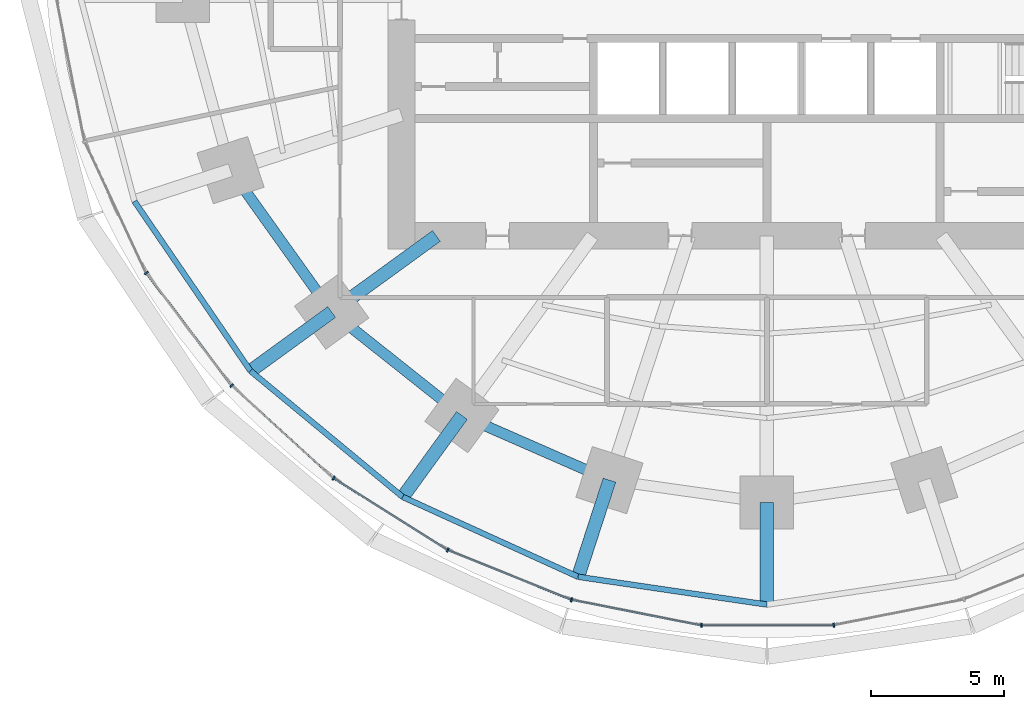
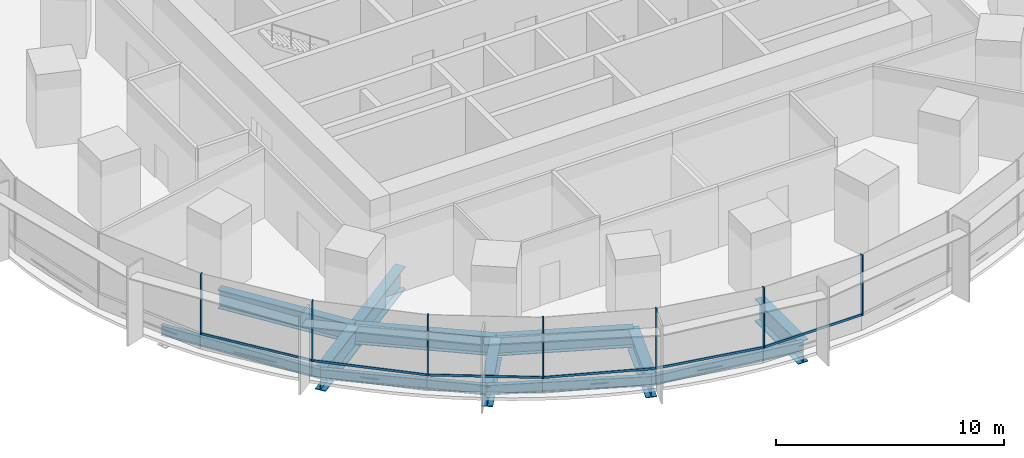
# One storey, part 2 of 15: 13 members, 12 beams, 2 elements without a shape of their own.
"""IFC4 building model written with IfcOpenShell, lengths in metres."""

import ifcopenshell
import ifcopenshell.guid

model = None  # the IFC model being written
_history = None  # IfcOwnerHistory: only IFC2X3 demands one
_inside = {}  # id of a spatial element -> (the spatial element, [elements in it])
_under = {}  # id of a project, library or spatial element -> (it, [spatial elements below it])
_declared = {}  # id of a project -> (the project, [libraries it declares])
_typed = {}  # id of a type object -> (the type object, [elements of that type])
_made_of = {}  # id of a material, layer set ... -> (it, [elements and type objects made of it])


def new_model(schema):
    """Start an empty IFC model of exactly this schema.

    Asked for "IFC4X3", IfcOpenShell would pick the latest addendum, in which some entities
    have other attributes; the version numbers below select the first issue.
    IFC2X3 requires an IfcOwnerHistory on every rooted entity: one is made here for all.
    """
    global model, _history
    if schema == "IFC4X3":
        model = ifcopenshell.file(schema_version=(4, 3, 0, 0))
    else:
        model = ifcopenshell.file(schema=schema)
    _inside.clear()
    _under.clear()
    _declared.clear()
    _typed.clear()
    _made_of.clear()
    _history = None
    if model.schema == "IFC2X3":
        org = make("IfcOrganization", Name="unknown")
        user = make(
            "IfcPersonAndOrganization",
            ThePerson=make("IfcPerson", FamilyName="unknown"),
            TheOrganization=org,
        )
        app = make(
            "IfcApplication",
            ApplicationDeveloper=org,
            Version="unknown",
            ApplicationFullName="unknown",
            ApplicationIdentifier="unknown",
        )
        _history = make(
            "IfcOwnerHistory",
            OwningUser=user,
            OwningApplication=app,
            ChangeAction="ADDED",
            CreationDate=0,
        )
    return model


def make(cls, **values):
    """One entity of the class cls with the attributes given. An attribute that is None is left unset."""
    return model.create_entity(
        cls, **{name: value for name, value in values.items() if value is not None}
    )


def rooted(cls, **values):
    """An entity with a GlobalId (a new one), such as an element, a storey or a relation."""
    return make(cls, GlobalId=ifcopenshell.guid.new(), OwnerHistory=_history, **values)


def si_unit(unit_type, name, prefix=None):
    """IfcSIUnit, for example si_unit("LENGTHUNIT", "METRE", prefix="MILLI")."""
    return make("IfcSIUnit", UnitType=unit_type, Prefix=prefix, Name=name)


def assignment(units):
    """IfcUnitAssignment: the units of a project."""
    return None if units is None else make("IfcUnitAssignment", Units=units)


def point(xyz):
    """IfcCartesianPoint."""
    return None if xyz is None else make("IfcCartesianPoint", Coordinates=xyz)


def direction(xyz):
    """IfcDirection."""
    return None if xyz is None else make("IfcDirection", DirectionRatios=xyz)


def frame(location, z_axis=None, x_axis=None):
    """IfcAxis2Placement3D, a coordinate frame: its origin and axes. An axis left out is left unset."""
    return make(
        "IfcAxis2Placement3D",
        Location=point(location),
        Axis=direction(z_axis),
        RefDirection=direction(x_axis),
    )


def frame_2d(location, x_axis=None):
    """IfcAxis2Placement2D, a coordinate frame in the plane: its origin and x axis."""
    return make(
        "IfcAxis2Placement2D", Location=point(location), RefDirection=direction(x_axis)
    )


def origin():
    """The frame at (0, 0, 0) with its axes left unset."""
    return frame((0.0, 0.0, 0.0))


def origin_2d():
    """The frame at (0, 0) in the plane with its x axis left unset."""
    return frame_2d((0.0, 0.0))


def place(relative_to, where):
    """IfcLocalPlacement: puts the frame where relative to a parent placement (None: the world)."""
    return make(
        "IfcLocalPlacement", PlacementRelTo=relative_to, RelativePlacement=where
    )


def context(
    kind, dimensions, precision=None, world=None, true_north=None, identifier=None
):
    """IfcGeometricRepresentationContext, for example the 3D "Model" context."""
    return make(
        "IfcGeometricRepresentationContext",
        ContextIdentifier=identifier,
        ContextType=kind,
        CoordinateSpaceDimension=dimensions,
        Precision=precision,
        WorldCoordinateSystem=world,
        TrueNorth=true_north,
    )


def subcontext(parent, identifier, kind, view, scale=None):
    """IfcGeometricRepresentationSubContext, for example "Body" below "Model"."""
    return make(
        "IfcGeometricRepresentationSubContext",
        ContextIdentifier=identifier,
        ContextType=kind,
        ParentContext=parent,
        TargetScale=scale,
        TargetView=view,
    )


def project(units=None, contexts=None):
    """IfcProject with its units and contexts."""
    return rooted(
        "IfcProject",
        Name="project",
        RepresentationContexts=contexts,
        UnitsInContext=assignment(units),
    )


def spatial(cls, under=None, at=None, **own):
    """A site, building, storey or space (cls), placed at a placement, below another one or the project."""
    s = rooted(cls, ObjectPlacement=at, **own)
    if under is not None:
        _under.setdefault(under.id(), (under, []))[1].append(s)
    return s


def profile(cls, at=None, kind="AREA", **sizes):
    """A parametric profile (cls). Its sizes go by their IFC names, for example OverallWidth=200.0."""
    return make(cls, ProfileType=kind, Position=at, **sizes)


def rectangle(**sizes):
    """IfcRectangleProfileDef."""
    return profile("IfcRectangleProfileDef", **sizes)


def i_section(**sizes):
    """IfcIShapeProfileDef."""
    return profile("IfcIShapeProfileDef", **sizes)


def extrude(swept, where, along, depth):
    """IfcExtrudedAreaSolid: the profile swept, set in the frame where, extruded along a direction by depth."""
    return make(
        "IfcExtrudedAreaSolid",
        SweptArea=swept,
        Position=where,
        ExtrudedDirection=direction(along),
        Depth=depth,
    )


def shape(context_of_items, identifier, shape_type, items):
    """IfcShapeRepresentation: the items that make up one representation, for example the "Body"."""
    return make(
        "IfcShapeRepresentation",
        ContextOfItems=context_of_items,
        RepresentationIdentifier=identifier,
        RepresentationType=shape_type,
        Items=items,
    )


def material(Name=None, Category=None):
    """IfcMaterial."""
    return make("IfcMaterial", Name=Name, Category=Category)


def material_profile(
    of_material, cross_section, Name=None, Category=None, Priority=None
):
    """IfcMaterialProfile: a cross section and its material."""
    return make(
        "IfcMaterialProfile",
        Name=Name,
        Material=of_material,
        Profile=cross_section,
        Priority=Priority,
        Category=Category,
    )


def profile_set(profiles, Name=None, composite=None):
    """IfcMaterialProfileSet."""
    return make(
        "IfcMaterialProfileSet",
        Name=Name,
        MaterialProfiles=profiles,
        CompositeProfile=composite,
    )


def made_of(thing, what):
    """Note that an element or type object is made of a material, layer set ...; save() writes the relation."""
    if what is not None:
        _made_of.setdefault(what.id(), (what, []))[1].append(thing)
    return thing


def type_object(cls, material=None, **own):
    """A type object (cls), such as IfcWallType, which elements share."""
    return made_of(rooted(cls, **own), material)


def element(
    cls,
    number,
    at=None,
    inside=None,
    cuts=None,
    type_object=None,
    material=None,
    context=None,
    identifier="Body",
    shape_type=None,
    held_by="IfcProductDefinitionShape",
    body=None,
    shapes=None,
    **own,
):
    """One element of the class cls, such as IfcWall. Its Tag is "e" and its number.

    at: its placement. inside: the storey or other place that contains it. cuts: it is an
    opening in that element (IfcRelVoidsElement). A single representation is given by context,
    identifier, shape_type and body (its items); several are given by shapes. held_by: the class
    of the entity that holds the representations. save() writes the other relations.
    """
    e = rooted(cls, Tag="e%d" % number, ObjectPlacement=at, **own)
    if body is not None:
        shapes = [shape(context, identifier, shape_type, body)]
    if shapes is not None:
        e.Representation = make(held_by, Representations=shapes)
    if inside is not None:
        _inside.setdefault(inside.id(), (inside, []))[1].append(e)
    if cuts is not None:
        rooted(
            "IfcRelVoidsElement", RelatingBuildingElement=cuts, RelatedOpeningElement=e
        )
    if type_object is not None:
        _typed.setdefault(type_object.id(), (type_object, []))[1].append(e)
    return made_of(e, material)


def aggregate(whole, parts):
    """IfcRelAggregates: a whole, such as a stair, and the parts it consists of."""
    return rooted("IfcRelAggregates", RelatingObject=whole, RelatedObjects=parts)


def save(model, path):
    """Write the relations noted so far, then the file.

    IfcRelAggregates (storeys below a building ...), IfcRelContainedInSpatialStructure (elements
    in a storey), IfcRelDefinesByType, IfcRelAssociatesMaterial and IfcRelDeclares: one each for
    every whole, place, type object, material and project.
    """
    for whole, parts in _under.values():
        aggregate(whole, parts)
    for where, things in _inside.values():
        rooted(
            "IfcRelContainedInSpatialStructure",
            RelatedElements=things,
            RelatingStructure=where,
        )
    for kind, things in _typed.values():
        rooted("IfcRelDefinesByType", RelatedObjects=things, RelatingType=kind)
    for what, things in _made_of.values():
        rooted("IfcRelAssociatesMaterial", RelatedObjects=things, RelatingMaterial=what)
    for by, libraries in _declared.values():
        rooted("IfcRelDeclares", RelatingContext=by, RelatedDefinitions=libraries)
    model.write(path)


model = new_model("IFC4")

# Units and contexts
model_context = context("Model", 3, precision=1e-05, world=origin(), true_north=direction((0.0, 1.0)))
body_context = subcontext(model_context, "Body", "Model", "MODEL_VIEW")
ifc_project = project(units=[si_unit("LENGTHUNIT", "METRE"), si_unit("AREAUNIT", "SQUARE_METRE"), si_unit("VOLUMEUNIT", "CUBIC_METRE"), si_unit("PLANEANGLEUNIT", "RADIAN"), si_unit("MASSUNIT", "GRAM", prefix="KILO")], contexts=[model_context])

# Site, building, storey
site_placement = place(None, origin())
site = spatial("IfcSite", under=ifc_project, at=site_placement, CompositionType="ELEMENT")
building_placement = place(site_placement, origin())
building = spatial("IfcBuilding", under=site, at=building_placement, Name="Marramba Exchange Tower", CompositionType="ELEMENT")
storey_placement = place(building_placement, frame((0.0, 0.0, 49.0)))
storey = spatial("IfcBuildingStorey", under=building, at=storey_placement, Name="L11", CompositionType="ELEMENT", Elevation=49.0)

# Beams
ifc_material_1 = material(Name="Steel AS/NZS 3679.2 grade 300", Category="steel")
ifc_material_profile_1 = material_profile(ifc_material_1, i_section(OverallWidth=0.5, OverallDepth=1.199951171875, WebThickness=0.01611328125, FlangeThickness=0.0400390625, at=origin_2d()), Name="1200WB455")
ifc_profile_set_1 = profile_set([ifc_material_profile_1], Name="Steel AS/NZS 3679.2 grade 300")
beam_type_1 = type_object("IfcBeamType", Name="Cantilever girder 1200WB455", PredefinedType="BEAM", material=ifc_profile_set_1)
beam_1_placement = place(storey_placement, frame((-16.3154296875, -11.853759765625, -0.760009765625), z_axis=(-0.809008346081, -0.587797155463, 0.0), x_axis=(0.587797155463, -0.809008346081, 0.0)))
element("IfcBeam", 1, at=beam_1_placement, inside=storey, type_object=beam_type_1, Name="Cantilever girder L11 TC13", PredefinedType="BEAM", context=body_context, shape_type="SweptSolid", body=[
    extrude(i_section(OverallWidth=0.5, OverallDepth=1.199951171875, WebThickness=0.01611328125, FlangeThickness=0.0400390625, at=origin_2d()), origin(), (0.0, 0.0, 1.0), 3.76025390625),
])
beam_2_placement = place(storey_placement, frame((-11.430419921875, -15.732666015625, -0.760009765625), z_axis=(-0.587787232741, -0.809015555491, 0.0), x_axis=(0.809015555491, -0.587787232741, 0.0)))
element("IfcBeam", 2, at=beam_2_placement, inside=storey, type_object=beam_type_1, Name="Cantilever girder L11 TC14", PredefinedType="BEAM", context=body_context, shape_type="SweptSolid", body=[
    extrude(i_section(OverallWidth=0.5, OverallDepth=1.199951171875, WebThickness=0.01611328125, FlangeThickness=0.0400390625, at=origin_2d()), origin(), (0.0, 0.0, 1.0), 3.7763671875),
])
beam_3_placement = place(storey_placement, frame((-5.899658203125, -18.156982421875, -0.760009765625), z_axis=(-0.309009272901, -0.951059025119, 0.0), x_axis=(0.951059025119, -0.309009272901, 0.0)))
element("IfcBeam", 3, at=beam_3_placement, inside=storey, type_object=beam_type_1, Name="Cantilever girder L11 TC15", PredefinedType="BEAM", context=body_context, shape_type="SweptSolid", body=[
    extrude(i_section(OverallWidth=0.5, OverallDepth=1.199951171875, WebThickness=0.01611328125, FlangeThickness=0.0400390625, at=origin_2d()), origin(), (0.0, 0.0, 1.0), 3.809814453125),
])
beam_4_placement = place(storey_placement, frame((0.0, -18.99609375, -0.760009765625), z_axis=(0.0, -1.0, 0.0), x_axis=(1.0, 0.0, 0.0)))
element("IfcBeam", 4, at=beam_4_placement, inside=storey, type_object=beam_type_1, Name="Cantilever girder L11 TC16", PredefinedType="BEAM", context=body_context, shape_type="SweptSolid", body=[
    extrude(i_section(OverallWidth=0.5, OverallDepth=1.199951171875, WebThickness=0.01611328125, FlangeThickness=0.0400390625, at=origin_2d()), origin(), (0.0, 0.0, 1.0), 3.825927734375),
])
ifc_material_profile_2 = material_profile(ifc_material_1, i_section(OverallWidth=0.5, OverallDepth=1.199951171875, WebThickness=0.01611328125, FlangeThickness=0.0400390625, at=origin_2d()), Name="1200WB455")
ifc_profile_set_2 = profile_set([ifc_material_profile_2], Name="Steel AS/NZS 3679.2 grade 300")
beam_type_2 = type_object("IfcBeamType", Name="Radial girder 1200WB455", PredefinedType="BEAM", material=ifc_profile_set_2)
beam_5_placement = place(storey_placement, frame((-12.387451171875, -9.0, -0.760009765625), z_axis=(-0.809025189606, -0.58777397236, 0.0), x_axis=(0.58777397236, -0.809025189606, 0.0)))
element("IfcBeam", 5, at=beam_5_placement, inside=storey, type_object=beam_type_2, Name="Radial girder L11 TC13", PredefinedType="BEAM", context=body_context, shape_type="SweptSolid", body=[
    extrude(i_section(OverallWidth=0.5, OverallDepth=1.199951171875, WebThickness=0.01611328125, FlangeThickness=0.0400390625, at=origin_2d()), origin(), (0.0, 0.0, 1.0), 4.855224609375),
])
ifc_material_profile_3 = material_profile(ifc_material_1, i_section(OverallWidth=0.39990234375, OverallDepth=1.0, WebThickness=0.01611328125, FlangeThickness=0.031982421875, at=origin_2d()), Name="1000WB322")
ifc_profile_set_3 = profile_set([ifc_material_profile_3], Name="Steel AS/NZS 3679.2 grade 300")
beam_type_3 = type_object("IfcBeamType", Name="Ring beam 1000WB322", PredefinedType="SPANDREL", material=ifc_profile_set_3)
beam_6_placement = place(storey_placement, frame((-20.109375, -6.533935546875, -0.659912109375), z_axis=(0.580637181111, -0.814162430914, 0.0), x_axis=(0.814162430914, 0.580637181111, 0.0)))
element("IfcBeam", 6, at=beam_6_placement, inside=storey, type_object=beam_type_3, Name="Ring beam L11 TC12-TC13", PredefinedType="SPANDREL", context=body_context, shape_type="SweptSolid", body=[
    extrude(i_section(OverallWidth=0.39990234375, OverallDepth=1.0, WebThickness=0.01611328125, FlangeThickness=0.031982421875, at=origin_2d()), origin(), (0.0, 0.0, 1.0), 6.5341796875),
])
beam_7_placement = place(storey_placement, frame((-16.3154296875, -11.853759765625, -0.659912109375), z_axis=(0.783139438128, -0.621846138887, 0.0), x_axis=(0.621846138887, 0.783139438128, 0.0)))
element("IfcBeam", 7, at=beam_7_placement, inside=storey, type_object=beam_type_3, Name="Ring beam L11 TC13-TC14", PredefinedType="SPANDREL", context=body_context, shape_type="SweptSolid", body=[
    extrude(i_section(OverallWidth=0.39990234375, OverallDepth=1.0, WebThickness=0.01611328125, FlangeThickness=0.031982421875, at=origin_2d()), origin(), (0.0, 0.0, 1.0), 6.23779296875),
])
beam_8_placement = place(storey_placement, frame((-11.430419921875, -15.732666015625, -0.659912109375), z_axis=(0.915876892158, -0.4014592363, 0.0), x_axis=(0.4014592363, 0.915876892158, 0.0)))
element("IfcBeam", 8, at=beam_8_placement, inside=storey, type_object=beam_type_3, Name="Ring beam L11 TC14-TC15", PredefinedType="SPANDREL", context=body_context, shape_type="SweptSolid", body=[
    extrude(i_section(OverallWidth=0.39990234375, OverallDepth=1.0, WebThickness=0.01611328125, FlangeThickness=0.031982421875, at=origin_2d()), origin(), (0.0, 0.0, 1.0), 6.038818359375),
])
ifc_material_2 = material(Name="Steel AS/NZS 3679.1 grade 300", Category="steel")
ifc_material_profile_4 = material_profile(ifc_material_2, i_section(OverallWidth=0.208984375, OverallDepth=0.528076171875, WebThickness=0.009521484375, FlangeThickness=0.01318359375, FilletRadius=0.013916015625, at=origin_2d()), Name="530UB82.0")
ifc_profile_set_4 = profile_set([ifc_material_profile_4], Name="Steel AS/NZS 3679.1 grade 300")
beam_type_4 = type_object("IfcBeamType", Name="Slab edge beam 530UB82.0", PredefinedType="SPANDREL", material=ifc_profile_set_4)
beam_9_placement = place(storey_placement, frame((-23.709716796875, -7.703857421875, -0.424072265625), z_axis=(0.564740697285, -0.82526840775, 0.0), x_axis=(0.82526840775, 0.564740697285, 0.0)))
element("IfcBeam", 9, at=beam_9_placement, inside=storey, type_object=beam_type_4, Name="Slab edge beam L11 TC12-TC13", PredefinedType="SPANDREL", context=body_context, shape_type="SweptSolid", body=[
    extrude(i_section(OverallWidth=0.208984375, OverallDepth=0.528076171875, WebThickness=0.009521484375, FlangeThickness=0.01318359375, FilletRadius=0.013916015625, at=origin_2d()), origin(), (0.0, 0.0, 1.0), 7.706787109375),
])
beam_10_placement = place(storey_placement, frame((-19.357421875, -14.06396484375, -0.424072265625), z_axis=(0.770353575372, -0.637616945283, 0.0), x_axis=(0.637616945283, 0.770353575372, 0.0)))
element("IfcBeam", 10, at=beam_10_placement, inside=storey, type_object=beam_type_4, Name="Slab edge beam L11 TC13-TC14", PredefinedType="SPANDREL", context=body_context, shape_type="SweptSolid", body=[
    extrude(i_section(OverallWidth=0.208984375, OverallDepth=0.528076171875, WebThickness=0.009521484375, FlangeThickness=0.01318359375, FilletRadius=0.013916015625, at=origin_2d()), origin(), (0.0, 0.0, 1.0), 7.40869140625),
])
beam_11_placement = place(storey_placement, frame((-13.650146484375, -18.787841796875, -0.424072265625), z_axis=(0.910126690081, -0.414330071324, 0.0), x_axis=(0.414330071324, 0.910126690081, 0.0)))
element("IfcBeam", 11, at=beam_11_placement, inside=storey, type_object=beam_type_4, Name="Slab edge beam L11 TC14-TC15", PredefinedType="SPANDREL", context=body_context, shape_type="SweptSolid", body=[
    extrude(i_section(OverallWidth=0.208984375, OverallDepth=0.528076171875, WebThickness=0.009521484375, FlangeThickness=0.01318359375, FilletRadius=0.013916015625, at=origin_2d()), origin(), (0.0, 0.0, 1.0), 7.222412109375),
])
beam_12_placement = place(storey_placement, frame((-7.076904296875, -21.7802734375, -0.424072265625), z_axis=(0.989338462178, -0.145634498848, 0.0), x_axis=(0.145634498848, 0.989338462178, 0.0)))
element("IfcBeam", 12, at=beam_12_placement, inside=storey, type_object=beam_type_4, Name="Slab edge beam L11 TC15-TC16", PredefinedType="SPANDREL", context=body_context, shape_type="SweptSolid", body=[
    extrude(i_section(OverallWidth=0.208984375, OverallDepth=0.528076171875, WebThickness=0.009521484375, FlangeThickness=0.01318359375, FilletRadius=0.013916015625, at=origin_2d()), origin(), (0.0, 0.0, 1.0), 7.153076171875),
])

# Curtain wall, members
ifc_material_3 = material(Name="Aluminium framing, bronze anodised", Category="aluminium")
curtain_wall_type = type_object("IfcCurtainWallType", Name="Trading floor ribbon curtain wall", PredefinedType="USERDEFINED", material=ifc_material_3)
curtain_wall_1_placement = place(storey_placement, origin())
curtain_wall_1 = element("IfcCurtainWall", 13, at=curtain_wall_1_placement, inside=storey, type_object=curtain_wall_type, Name="Curtain wall CW3 L11 F16-F20", ObjectType="RIBBON CURTAIN WALL", PredefinedType="USERDEFINED")
ifc_material_4 = material(Name="Aluminium mullion, bronze anodised", Category="aluminium")
ifc_material_profile_5 = material_profile(ifc_material_4, rectangle(XDim=0.159912109375, YDim=0.06005859375, at=origin_2d()), Name="CW3 mullion 60x160")
ifc_profile_set_5 = profile_set([ifc_material_profile_5], Name="Aluminium mullion, bronze anodised")
member_type_1 = type_object("IfcMemberType", Name="Trading floor ribbon curtain wall mullion", PredefinedType="MULLION", material=ifc_profile_set_5)
member_1_placement = place(storey_placement, frame((-23.26318359375, -10.389404296875, 0.800048828125), z_axis=(0.0, 0.0, 1.0), x_axis=(0.797710591138, 0.603040473588, 0.0)))
member_1 = element("IfcMember", 14, at=member_1_placement, type_object=member_type_1, Name="CW3 mullion 1", PredefinedType="MULLION", context=body_context, shape_type="SweptSolid", body=[
    extrude(rectangle(XDim=0.159912109375, YDim=0.06005859375, at=origin_2d()), origin(), (0.0, 0.0, 1.0), 3.239990234375),
])
member_2_placement = place(storey_placement, frame((-20.063232421875, -14.61328125, 0.800048828125), z_axis=(0.0, 0.0, 1.0), x_axis=(0.673058133441, 0.739589581463, 0.0)))
member_2 = element("IfcMember", 15, at=member_2_placement, type_object=member_type_1, Name="CW3 mullion 1", PredefinedType="MULLION", context=body_context, shape_type="SweptSolid", body=[
    extrude(rectangle(XDim=0.159912109375, YDim=0.06005859375, at=origin_2d()), origin(), (0.0, 0.0, 1.0), 3.239990234375),
])
member_3_placement = place(storey_placement, frame((-16.242431640625, -18.083251953125, 0.800048828125), z_axis=(0.0, 0.0, 1.0), x_axis=(0.533514646612, 0.845790826298, 0.0)))
member_3 = element("IfcMember", 16, at=member_3_placement, type_object=member_type_1, Name="CW3 mullion 1", PredefinedType="MULLION", context=body_context, shape_type="SweptSolid", body=[
    extrude(rectangle(XDim=0.159912109375, YDim=0.06005859375, at=origin_2d()), origin(), (0.0, 0.0, 1.0), 3.239990234375),
])

curtain_wall_2_placement = place(storey_placement, origin())
curtain_wall_2 = element("IfcCurtainWall", 17, at=curtain_wall_2_placement, inside=storey, type_object=curtain_wall_type, Name="Curtain wall CW3 L11 F21-F25", ObjectType="RIBBON CURTAIN WALL", PredefinedType="USERDEFINED")
member_4_placement = place(storey_placement, frame((-11.96142578125, -20.77734375, 0.800048828125), z_axis=(0.0, 0.0, 1.0), x_axis=(0.374218219325, 0.927340673283, 0.0)))
member_4 = element("IfcMember", 18, at=member_4_placement, type_object=member_type_1, Name="CW3 mullion 1", PredefinedType="MULLION", context=body_context, shape_type="SweptSolid", body=[
    extrude(rectangle(XDim=0.159912109375, YDim=0.06005859375, at=origin_2d()), origin(), (0.0, 0.0, 1.0), 3.239990234375),
])
member_5_placement = place(storey_placement, frame((-7.325439453125, -22.64208984375, 0.800048828125), z_axis=(0.0, 0.0, 1.0), x_axis=(0.193961202977, 0.98100920064, 0.0)))
member_5 = element("IfcMember", 19, at=member_5_placement, type_object=member_type_1, Name="CW3 mullion 1", PredefinedType="MULLION", context=body_context, shape_type="SweptSolid", body=[
    extrude(rectangle(XDim=0.159912109375, YDim=0.06005859375, at=origin_2d()), origin(), (0.0, 0.0, 1.0), 3.239990234375),
])
member_6_placement = place(storey_placement, frame((-2.450439453125, -23.599853515625, 0.800048828125), z_axis=(0.0, 0.0, 1.0), x_axis=(0.0, 1.0, 0.0)))
member_6 = element("IfcMember", 20, at=member_6_placement, type_object=member_type_1, Name="CW3 mullion 1", PredefinedType="MULLION", context=body_context, shape_type="SweptSolid", body=[
    extrude(rectangle(XDim=0.159912109375, YDim=0.06005859375, at=origin_2d()), origin(), (0.0, 0.0, 1.0), 3.239990234375),
])
member_7_placement = place(storey_placement, frame((2.509765625, -23.59423828125, 0.800048828125), z_axis=(0.0, 0.0, 1.0), x_axis=(-0.193961202977, 0.98100920064, 0.0)))
member_7 = element("IfcMember", 21, at=member_7_placement, type_object=member_type_1, Name="CW3 mullion 1", PredefinedType="MULLION", context=body_context, shape_type="SweptSolid", body=[
    extrude(rectangle(XDim=0.159912109375, YDim=0.06005859375, at=origin_2d()), origin(), (0.0, 0.0, 1.0), 3.239990234375),
])

# Member
ifc_material_5 = material(Name="Aluminium transom, bronze anodised", Category="aluminium")
ifc_material_profile_6 = material_profile(ifc_material_5, rectangle(XDim=0.06005859375, YDim=0.1201171875, at=origin_2d()), Name="CW3 transom 60x120")
ifc_profile_set_6 = profile_set([ifc_material_profile_6], Name="Aluminium transom, bronze anodised")
member_type_2 = type_object("IfcMemberType", Name="Trading floor ribbon curtain wall transom", PredefinedType="USERDEFINED", material=ifc_profile_set_6)
member_8_placement = place(storey_placement, frame((-23.2451171875, -10.413330078125, 0.830078125), z_axis=(0.603037409419, -0.797712907531, 0.0), x_axis=(0.797712907531, 0.603037409419, 0.0)))
member_8 = element("IfcMember", 22, at=member_8_placement, type_object=member_type_2, Name="CW3 sill transom", ObjectType="TRANSOM", PredefinedType="USERDEFINED", context=body_context, shape_type="SweptSolid", body=[
    extrude(rectangle(XDim=0.06005859375, YDim=0.1201171875, at=origin_2d()), origin(), (0.0, 0.0, 1.0), 5.239501953125),
])

member_9_placement = place(storey_placement, frame((-20.041015625, -14.63330078125, 0.830078125), z_axis=(0.739582688456, -0.673065707741, 0.0), x_axis=(0.673065707741, 0.739582688456, 0.0)))
member_9 = element("IfcMember", 23, at=member_9_placement, type_object=member_type_2, Name="CW3 sill transom", ObjectType="TRANSOM", PredefinedType="USERDEFINED", context=body_context, shape_type="SweptSolid", body=[
    extrude(rectangle(XDim=0.06005859375, YDim=0.1201171875, at=origin_2d()), origin(), (0.0, 0.0, 1.0), 5.101806640625),
])

member_10_placement = place(storey_placement, frame((-16.217041015625, -18.09912109375, 0.830078125), z_axis=(0.845776602594, -0.533537195053, 0.0), x_axis=(0.533537195053, 0.845776602594, 0.0)))
member_10 = element("IfcMember", 24, at=member_10_placement, type_object=member_type_2, Name="CW3 sill transom", ObjectType="TRANSOM", PredefinedType="USERDEFINED", context=body_context, shape_type="SweptSolid", body=[
    extrude(rectangle(XDim=0.06005859375, YDim=0.1201171875, at=origin_2d()), origin(), (0.0, 0.0, 1.0), 4.998779296875),
])

aggregate(curtain_wall_1, [member_1, member_8, member_2, member_9, member_3, member_10])

member_11_placement = place(storey_placement, frame((-11.93359375, -20.78857421875, 0.830078125), z_axis=(0.927340197166, -0.374219399176, 0.0), x_axis=(0.374219399176, 0.927340197166, 0.0)))
member_11 = element("IfcMember", 25, at=member_11_placement, type_object=member_type_2, Name="CW3 sill transom", ObjectType="TRANSOM", PredefinedType="USERDEFINED", context=body_context, shape_type="SweptSolid", body=[
    extrude(rectangle(XDim=0.06005859375, YDim=0.1201171875, at=origin_2d()), origin(), (0.0, 0.0, 1.0), 4.937255859375),
])

member_12_placement = place(storey_placement, frame((-7.296142578125, -22.64794921875, 0.830078125), z_axis=(0.981018169547, -0.193915834883, 0.0), x_axis=(0.193915834883, 0.981018169547, 0.0)))
member_12 = element("IfcMember", 26, at=member_12_placement, type_object=member_type_2, Name="CW3 sill transom", ObjectType="TRANSOM", PredefinedType="USERDEFINED", context=body_context, shape_type="SweptSolid", body=[
    extrude(rectangle(XDim=0.06005859375, YDim=0.1201171875, at=origin_2d()), origin(), (0.0, 0.0, 1.0), 4.908935546875),
])

member_13_placement = place(storey_placement, frame((-2.42041015625, -23.599853515625, 0.830078125), z_axis=(1.0, 0.0, 0.0), x_axis=(0.0, 1.0, 0.0)))
member_13 = element("IfcMember", 27, at=member_13_placement, type_object=member_type_2, Name="CW3 sill transom", ObjectType="TRANSOM", PredefinedType="USERDEFINED", context=body_context, shape_type="SweptSolid", body=[
    extrude(rectangle(XDim=0.06005859375, YDim=0.1201171875, at=origin_2d()), origin(), (0.0, 0.0, 1.0), 4.90087890625),
])

aggregate(curtain_wall_2, [member_4, member_11, member_5, member_12, member_6, member_13, member_7])

save(model, "model.ifc")
